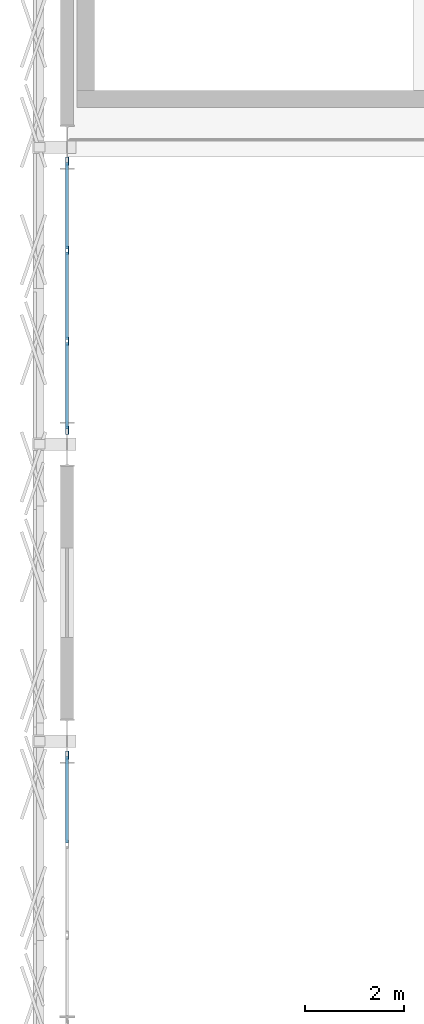
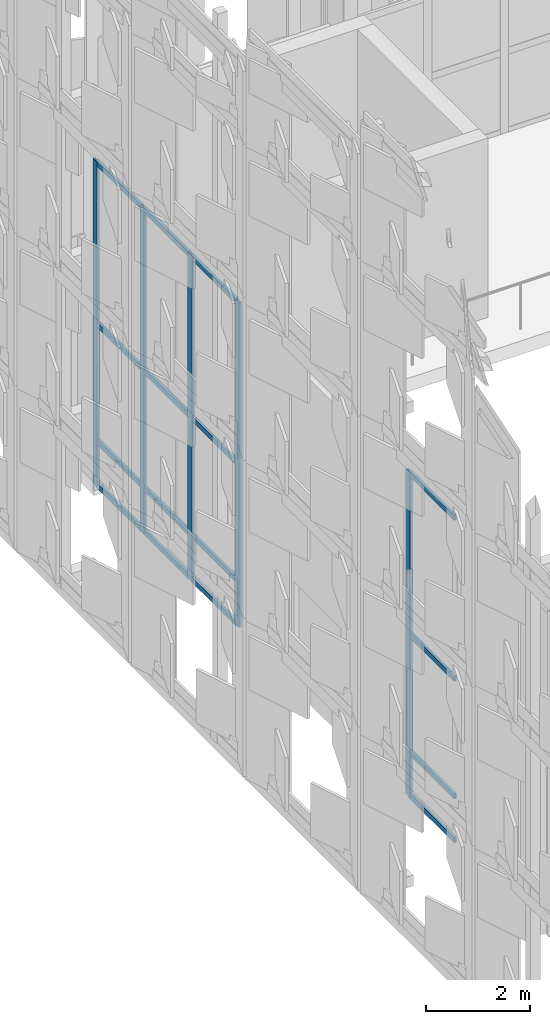
# One storey, part 78 of 210: 21 members, 2 elements without a shape of their own.
"""IFC4 building model written with IfcOpenShell, lengths in metres."""

from ifc_helpers import new_model, si_unit, direction, frame, origin, origin_2d, place, context, subcontext, project, spatial, hollow_rectangle, extrude, material, material_profile, profile_set, type_object, element, aggregate, save


model = new_model("IFC4")

# Units and contexts
model_context = context("Model", 3, precision=1e-05, world=origin(), true_north=direction((0.0, 1.0)))
body_context = subcontext(model_context, "Body", "Model", "MODEL_VIEW")
ifc_project = project(units=[si_unit("LENGTHUNIT", "METRE"), si_unit("AREAUNIT", "SQUARE_METRE"), si_unit("VOLUMEUNIT", "CUBIC_METRE"), si_unit("PLANEANGLEUNIT", "RADIAN"), si_unit("MASSUNIT", "GRAM", prefix="KILO")], contexts=[model_context])

# Site, building, storey
site_placement = place(None, origin())
site = spatial("IfcSite", under=ifc_project, at=site_placement, CompositionType="ELEMENT")
building_placement = place(site_placement, origin())
building = spatial("IfcBuilding", under=site, at=building_placement, Name="Kaldris Quays Convention Centre", CompositionType="ELEMENT")
storey_placement = place(building_placement, frame((0.0, 0.0, 6.0)))
storey = spatial("IfcBuildingStorey", under=building, at=storey_placement, Name="L01", CompositionType="ELEMENT", Elevation=6.0)

# Curtain wall, member
ifc_material_1 = material(Name="Anodized aluminium AW-6060 and triple glazing", Category="aluminium")
curtain_wall_type = type_object("IfcCurtainWallType", Name="UNITISED CURTAIN WALL CW03", PredefinedType="NOTDEFINED", material=ifc_material_1)
curtain_wall_1_placement = place(storey_placement, origin())
curtain_wall_1 = element("IfcCurtainWall", 1, at=curtain_wall_1_placement, inside=storey, type_object=curtain_wall_type, Name="L01 Unitised Curtain Wall CW03 20", PredefinedType="NOTDEFINED")
ifc_material_2 = material(Name="Anodized aluminium AW-6060", Category="aluminium")
ifc_material_profile_1 = material_profile(ifc_material_2, hollow_rectangle(XDim=0.06005859375, YDim=0.159912109375, WallThickness=0.00390625, at=origin_2d()), Name="RHS 160x60x4")
ifc_profile_set_1 = profile_set([ifc_material_profile_1], Name="Anodized aluminium AW-6060")
member_type_1 = type_object("IfcMemberType", Name="CURTAIN MULLION CWM1", PredefinedType="MULLION", material=ifc_profile_set_1)
member_1_placement = place(storey_placement, frame((20.0, 121.719970703125, 0.0), z_axis=(0.0, 0.0, 1.0), x_axis=(-1.0, 0.0, 0.0)))
member_1 = element("IfcMember", 2, at=member_1_placement, type_object=member_type_1, Name="CW03 mullion 4", PredefinedType="MULLION", context=body_context, shape_type="SweptSolid", body=[
    extrude(hollow_rectangle(XDim=0.06005859375, YDim=0.159912109375, WallThickness=0.00390625, at=origin_2d()), origin(), (0.0, 0.0, 1.0), 7.60009765625),
])

# Curtain wall, members
curtain_wall_2_placement = place(storey_placement, origin())
curtain_wall_2 = element("IfcCurtainWall", 3, at=curtain_wall_2_placement, inside=storey, type_object=curtain_wall_type, Name="L01 Unitised Curtain Wall CW03 21", PredefinedType="NOTDEFINED")
member_2_placement = place(storey_placement, frame((20.0, 128.280029296875, 0.0), z_axis=(0.0, 0.0, 1.0), x_axis=(-1.0, 0.0, 0.0)))
member_2 = element("IfcMember", 4, at=member_2_placement, type_object=member_type_1, Name="CW03 mullion 1", PredefinedType="MULLION", context=body_context, shape_type="SweptSolid", body=[
    extrude(hollow_rectangle(XDim=0.06005859375, YDim=0.159912109375, WallThickness=0.00390625, at=origin_2d()), origin(), (0.0, 0.0, 1.0), 7.60009765625),
])
member_3_placement = place(storey_placement, frame((20.0, 130.083251953125, 0.0), z_axis=(0.0, 0.0, 1.0), x_axis=(-1.0, 0.0, 0.0)))
member_3 = element("IfcMember", 5, at=member_3_placement, type_object=member_type_1, Name="CW03 mullion 2", PredefinedType="MULLION", context=body_context, shape_type="SweptSolid", body=[
    extrude(hollow_rectangle(XDim=0.06005859375, YDim=0.159912109375, WallThickness=0.00390625, at=origin_2d()), origin(), (0.0, 0.0, 1.0), 7.60009765625),
])
member_4_placement = place(storey_placement, frame((20.0, 131.916748046875, 0.0), z_axis=(0.0, 0.0, 1.0), x_axis=(-1.0, 0.0, 0.0)))
member_4 = element("IfcMember", 6, at=member_4_placement, type_object=member_type_1, Name="CW03 mullion 3", PredefinedType="MULLION", context=body_context, shape_type="SweptSolid", body=[
    extrude(hollow_rectangle(XDim=0.06005859375, YDim=0.159912109375, WallThickness=0.00390625, at=origin_2d()), origin(), (0.0, 0.0, 1.0), 7.60009765625),
])
member_5_placement = place(storey_placement, frame((20.0, 133.719970703125, 0.0), z_axis=(0.0, 0.0, 1.0), x_axis=(-1.0, 0.0, 0.0)))
member_5 = element("IfcMember", 7, at=member_5_placement, type_object=member_type_1, Name="CW03 mullion 4", PredefinedType="MULLION", context=body_context, shape_type="SweptSolid", body=[
    extrude(hollow_rectangle(XDim=0.06005859375, YDim=0.159912109375, WallThickness=0.00390625, at=origin_2d()), origin(), (0.0, 0.0, 1.0), 7.60009765625),
])

# Member
ifc_material_profile_2 = material_profile(ifc_material_2, hollow_rectangle(XDim=0.06005859375, YDim=0.1201171875, WallThickness=0.00390625, at=origin_2d()), Name="RHS 120x60x4")
ifc_profile_set_2 = profile_set([ifc_material_profile_2], Name="Anodized aluminium AW-6060")
member_type_2 = type_object("IfcMemberType", Name="CURTAIN TRANSOM CWT1", PredefinedType="USERDEFINED", material=ifc_profile_set_2)
member_6_placement = place(storey_placement, frame((20.0, 119.94677734375, 0.030029296875), z_axis=(0.0, 1.0, 0.0), x_axis=(-1.0, 0.0, 0.0)))
member_6 = element("IfcMember", 8, at=member_6_placement, type_object=member_type_2, Name="CW03 transom 3.1", ObjectType="TRANSOM", PredefinedType="USERDEFINED", context=body_context, shape_type="SweptSolid", body=[
    extrude(hollow_rectangle(XDim=0.06005859375, YDim=0.1201171875, WallThickness=0.00390625, at=origin_2d()), origin(), (0.0, 0.0, 1.0), 1.7431640625),
])

member_7_placement = place(storey_placement, frame((20.0, 119.94677734375, 1.050048828125), z_axis=(0.0, 1.0, 0.0), x_axis=(-1.0, 0.0, 0.0)))
member_7 = element("IfcMember", 9, at=member_7_placement, type_object=member_type_2, Name="CW03 transom 3.2", ObjectType="TRANSOM", PredefinedType="USERDEFINED", context=body_context, shape_type="SweptSolid", body=[
    extrude(hollow_rectangle(XDim=0.06005859375, YDim=0.1201171875, WallThickness=0.00390625, at=origin_2d()), origin(), (0.0, 0.0, 1.0), 1.7431640625),
])

member_8_placement = place(storey_placement, frame((20.0, 119.94677734375, 3.800048828125), z_axis=(0.0, 1.0, 0.0), x_axis=(-1.0, 0.0, 0.0)))
member_8 = element("IfcMember", 10, at=member_8_placement, type_object=member_type_2, Name="CW03 transom 3.3", ObjectType="TRANSOM", PredefinedType="USERDEFINED", context=body_context, shape_type="SweptSolid", body=[
    extrude(hollow_rectangle(XDim=0.06005859375, YDim=0.1201171875, WallThickness=0.00390625, at=origin_2d()), origin(), (0.0, 0.0, 1.0), 1.7431640625),
])

member_9_placement = place(storey_placement, frame((20.0, 119.94677734375, 7.570068359375), z_axis=(0.0, 1.0, 0.0), x_axis=(-1.0, 0.0, 0.0)))
member_9 = element("IfcMember", 11, at=member_9_placement, type_object=member_type_2, Name="CW03 transom 3.4", ObjectType="TRANSOM", PredefinedType="USERDEFINED", context=body_context, shape_type="SweptSolid", body=[
    extrude(hollow_rectangle(XDim=0.06005859375, YDim=0.1201171875, WallThickness=0.00390625, at=origin_2d()), origin(), (0.0, 0.0, 1.0), 1.7431640625),
])

aggregate(curtain_wall_1, [member_1, member_6, member_7, member_8, member_9])

member_10_placement = place(storey_placement, frame((20.0, 128.31005859375, 0.030029296875), z_axis=(0.0, 1.0, 0.0), x_axis=(-1.0, 0.0, 0.0)))
member_10 = element("IfcMember", 12, at=member_10_placement, type_object=member_type_2, Name="CW03 transom 1.1", ObjectType="TRANSOM", PredefinedType="USERDEFINED", context=body_context, shape_type="SweptSolid", body=[
    extrude(hollow_rectangle(XDim=0.06005859375, YDim=0.1201171875, WallThickness=0.00390625, at=origin_2d()), origin(), (0.0, 0.0, 1.0), 1.7431640625),
])

member_11_placement = place(storey_placement, frame((20.0, 128.31005859375, 1.050048828125), z_axis=(0.0, 1.0, 0.0), x_axis=(-1.0, 0.0, 0.0)))
member_11 = element("IfcMember", 13, at=member_11_placement, type_object=member_type_2, Name="CW03 transom 1.2", ObjectType="TRANSOM", PredefinedType="USERDEFINED", context=body_context, shape_type="SweptSolid", body=[
    extrude(hollow_rectangle(XDim=0.06005859375, YDim=0.1201171875, WallThickness=0.00390625, at=origin_2d()), origin(), (0.0, 0.0, 1.0), 1.7431640625),
])

member_12_placement = place(storey_placement, frame((20.0, 128.31005859375, 3.800048828125), z_axis=(0.0, 1.0, 0.0), x_axis=(-1.0, 0.0, 0.0)))
member_12 = element("IfcMember", 14, at=member_12_placement, type_object=member_type_2, Name="CW03 transom 1.3", ObjectType="TRANSOM", PredefinedType="USERDEFINED", context=body_context, shape_type="SweptSolid", body=[
    extrude(hollow_rectangle(XDim=0.06005859375, YDim=0.1201171875, WallThickness=0.00390625, at=origin_2d()), origin(), (0.0, 0.0, 1.0), 1.7431640625),
])

member_13_placement = place(storey_placement, frame((20.0, 128.31005859375, 7.570068359375), z_axis=(0.0, 1.0, 0.0), x_axis=(-1.0, 0.0, 0.0)))
member_13 = element("IfcMember", 15, at=member_13_placement, type_object=member_type_2, Name="CW03 transom 1.4", ObjectType="TRANSOM", PredefinedType="USERDEFINED", context=body_context, shape_type="SweptSolid", body=[
    extrude(hollow_rectangle(XDim=0.06005859375, YDim=0.1201171875, WallThickness=0.00390625, at=origin_2d()), origin(), (0.0, 0.0, 1.0), 1.7431640625),
])

member_14_placement = place(storey_placement, frame((20.0, 130.11328125, 0.030029296875), z_axis=(0.0, 1.0, 0.0), x_axis=(-1.0, 0.0, 0.0)))
member_14 = element("IfcMember", 16, at=member_14_placement, type_object=member_type_2, Name="CW03 transom 2.1", ObjectType="TRANSOM", PredefinedType="USERDEFINED", context=body_context, shape_type="SweptSolid", body=[
    extrude(hollow_rectangle(XDim=0.06005859375, YDim=0.1201171875, WallThickness=0.00390625, at=origin_2d()), origin(), (0.0, 0.0, 1.0), 1.7734375),
])

member_15_placement = place(storey_placement, frame((20.0, 130.11328125, 1.050048828125), z_axis=(0.0, 1.0, 0.0), x_axis=(-1.0, 0.0, 0.0)))
member_15 = element("IfcMember", 17, at=member_15_placement, type_object=member_type_2, Name="CW03 transom 2.2", ObjectType="TRANSOM", PredefinedType="USERDEFINED", context=body_context, shape_type="SweptSolid", body=[
    extrude(hollow_rectangle(XDim=0.06005859375, YDim=0.1201171875, WallThickness=0.00390625, at=origin_2d()), origin(), (0.0, 0.0, 1.0), 1.7734375),
])

member_16_placement = place(storey_placement, frame((20.0, 130.11328125, 3.800048828125), z_axis=(0.0, 1.0, 0.0), x_axis=(-1.0, 0.0, 0.0)))
member_16 = element("IfcMember", 18, at=member_16_placement, type_object=member_type_2, Name="CW03 transom 2.3", ObjectType="TRANSOM", PredefinedType="USERDEFINED", context=body_context, shape_type="SweptSolid", body=[
    extrude(hollow_rectangle(XDim=0.06005859375, YDim=0.1201171875, WallThickness=0.00390625, at=origin_2d()), origin(), (0.0, 0.0, 1.0), 1.7734375),
])

member_17_placement = place(storey_placement, frame((20.0, 130.11328125, 7.570068359375), z_axis=(0.0, 1.0, 0.0), x_axis=(-1.0, 0.0, 0.0)))
member_17 = element("IfcMember", 19, at=member_17_placement, type_object=member_type_2, Name="CW03 transom 2.4", ObjectType="TRANSOM", PredefinedType="USERDEFINED", context=body_context, shape_type="SweptSolid", body=[
    extrude(hollow_rectangle(XDim=0.06005859375, YDim=0.1201171875, WallThickness=0.00390625, at=origin_2d()), origin(), (0.0, 0.0, 1.0), 1.7734375),
])

member_18_placement = place(storey_placement, frame((20.0, 131.94677734375, 0.030029296875), z_axis=(0.0, 1.0, 0.0), x_axis=(-1.0, 0.0, 0.0)))
member_18 = element("IfcMember", 20, at=member_18_placement, type_object=member_type_2, Name="CW03 transom 3.1", ObjectType="TRANSOM", PredefinedType="USERDEFINED", context=body_context, shape_type="SweptSolid", body=[
    extrude(hollow_rectangle(XDim=0.06005859375, YDim=0.1201171875, WallThickness=0.00390625, at=origin_2d()), origin(), (0.0, 0.0, 1.0), 1.7431640625),
])

member_19_placement = place(storey_placement, frame((20.0, 131.94677734375, 1.050048828125), z_axis=(0.0, 1.0, 0.0), x_axis=(-1.0, 0.0, 0.0)))
member_19 = element("IfcMember", 21, at=member_19_placement, type_object=member_type_2, Name="CW03 transom 3.2", ObjectType="TRANSOM", PredefinedType="USERDEFINED", context=body_context, shape_type="SweptSolid", body=[
    extrude(hollow_rectangle(XDim=0.06005859375, YDim=0.1201171875, WallThickness=0.00390625, at=origin_2d()), origin(), (0.0, 0.0, 1.0), 1.7431640625),
])

member_20_placement = place(storey_placement, frame((20.0, 131.94677734375, 3.800048828125), z_axis=(0.0, 1.0, 0.0), x_axis=(-1.0, 0.0, 0.0)))
member_20 = element("IfcMember", 22, at=member_20_placement, type_object=member_type_2, Name="CW03 transom 3.3", ObjectType="TRANSOM", PredefinedType="USERDEFINED", context=body_context, shape_type="SweptSolid", body=[
    extrude(hollow_rectangle(XDim=0.06005859375, YDim=0.1201171875, WallThickness=0.00390625, at=origin_2d()), origin(), (0.0, 0.0, 1.0), 1.7431640625),
])

member_21_placement = place(storey_placement, frame((20.0, 131.94677734375, 7.570068359375), z_axis=(0.0, 1.0, 0.0), x_axis=(-1.0, 0.0, 0.0)))
member_21 = element("IfcMember", 23, at=member_21_placement, type_object=member_type_2, Name="CW03 transom 3.4", ObjectType="TRANSOM", PredefinedType="USERDEFINED", context=body_context, shape_type="SweptSolid", body=[
    extrude(hollow_rectangle(XDim=0.06005859375, YDim=0.1201171875, WallThickness=0.00390625, at=origin_2d()), origin(), (0.0, 0.0, 1.0), 1.7431640625),
])

aggregate(curtain_wall_2, [member_2, member_3, member_4, member_5, member_10, member_11, member_12, member_13, member_14, member_15, member_16, member_17, member_18, member_19, member_20, member_21])

save(model, "model.ifc")
